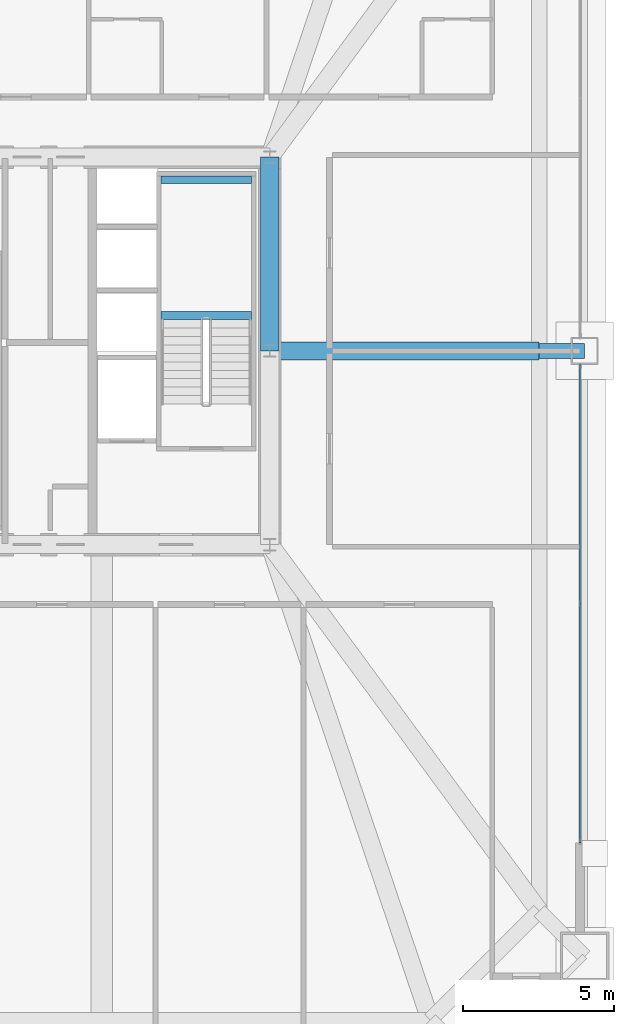
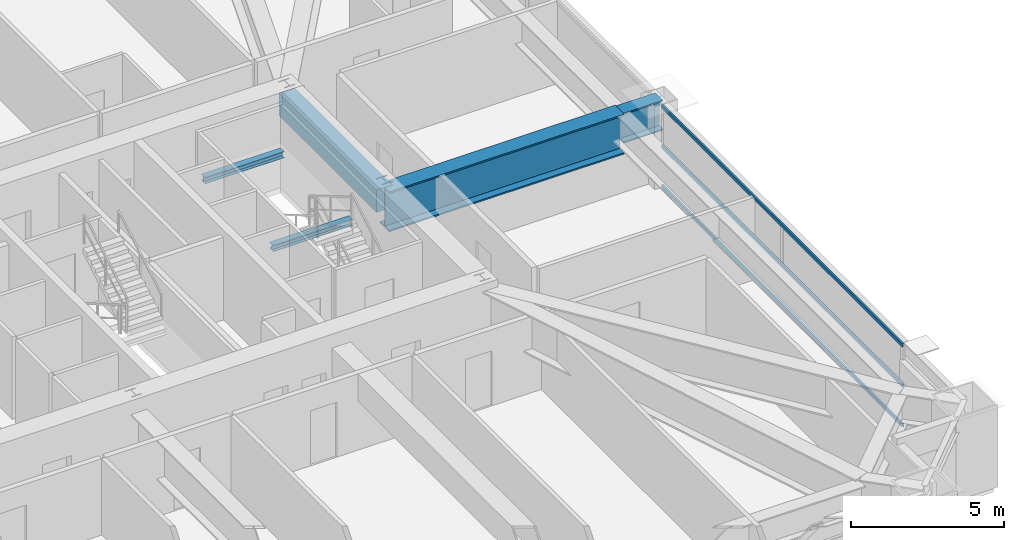
# One storey, part 23 of 45: 5 beams, 3 members, 1 element without a shape of its own.
"""IFC4 building model written with IfcOpenShell, lengths in metres."""

from ifc_helpers import new_model, si_unit, direction, frame, origin, origin_2d, place, context, subcontext, project, spatial, rectangle, hollow_rectangle, i_section, extrude, source, transform, mapped, material, layer, layer_set, material_profile, profile_set, type_object, element, aggregate, save


model = new_model("IFC4")

# Units and contexts
model_context = context("Model", 3, precision=1e-05, world=origin(), true_north=direction((0.0, 1.0)))
body_context = subcontext(model_context, "Body", "Model", "MODEL_VIEW")
ifc_project = project(units=[si_unit("LENGTHUNIT", "METRE"), si_unit("AREAUNIT", "SQUARE_METRE"), si_unit("VOLUMEUNIT", "CUBIC_METRE"), si_unit("PLANEANGLEUNIT", "RADIAN"), si_unit("MASSUNIT", "GRAM", prefix="KILO"), si_unit("THERMODYNAMICTEMPERATUREUNIT", "KELVIN"), si_unit("POWERUNIT", "WATT")], contexts=[model_context])

# Site, building, storey
site_placement = place(None, origin())
site = spatial("IfcSite", under=ifc_project, at=site_placement, CompositionType="ELEMENT")
building_placement = place(site_placement, origin())
building = spatial("IfcBuilding", under=site, at=building_placement, Name="Yuzanri Waterfront Tower", CompositionType="ELEMENT")
storey_placement = place(building_placement, frame((0.0, 0.0, 163.199951171875)))
storey = spatial("IfcBuildingStorey", under=building, at=storey_placement, Name="L43", CompositionType="ELEMENT", Elevation=163.199951171875)

# Beams
ifc_material_1 = material(Name="Concrete C60", Category="concrete")
ifc_material_profile_1 = material_profile(ifc_material_1, rectangle(XDim=0.60009765625, YDim=0.89990234375, at=origin_2d()), Name="RC 600x900")
ifc_profile_set_1 = profile_set([ifc_material_profile_1], Name="Concrete C60")
beam_type_1 = type_object("IfcBeamType", Name="Core Coupling Lintel Concrete C60 600x900", PredefinedType="LINTEL", material=ifc_profile_set_1)
shared_shape_1 = source(origin(), body_context, "Body", "SweptSolid", [
    extrude(rectangle(XDim=0.60009765625, YDim=0.89990234375, at=origin_2d()), origin(), (0.0, 0.0, 1.0), 6.39990234375),
])
beam_1_placement = place(storey_placement, frame((50.199951171875, 25.800048828125, 2.85009765625), z_axis=(0.0, 1.0, 0.0), x_axis=(-1.0, 0.0, 0.0)))
element("IfcBeam", 1, at=beam_1_placement, inside=storey, type_object=beam_type_1, Name="L43 Core Tie Beam CE2", PredefinedType="LINTEL", context=body_context, shape_type="MappedRepresentation", body=[
    mapped(shared_shape_1, transform((0.0, 0.0, 0.0), scale=1.0)),
])
ifc_material_2 = material(Name="Steel Q420GJC", Category="steel")
ifc_material_profile_2 = material_profile(ifc_material_2, i_section(OverallWidth=0.5, OverallDepth=1.199951171875, WebThickness=0.028076171875, FlangeThickness=0.050048828125, at=origin_2d()), Name="PG 1200x500x28x50")
ifc_profile_set_2 = profile_set([ifc_material_profile_2], Name="Steel Q420GJC")
beam_type_2 = type_object("IfcBeamType", Name="Setback Transfer Girder Q420GJC PG 1200x500", PredefinedType="USERDEFINED", material=ifc_profile_set_2)
shared_shape_2 = source(origin(), body_context, "Body", "SweptSolid", [
    extrude(i_section(OverallWidth=0.5, OverallDepth=1.199951171875, WebThickness=0.028076171875, FlangeThickness=0.050048828125, at=origin_2d()), origin(), (0.0, 0.0, 1.0), 1.5),
])
beam_2_placement = place(storey_placement, frame((59.10009765625, 25.800048828125, 2.699951171875), z_axis=(1.0, 0.0, 0.0), x_axis=(0.0, 1.0, 0.0)))
element("IfcBeam", 2, at=beam_2_placement, inside=storey, type_object=beam_type_2, Name="L43 Setback Step Transfer E2", ObjectType="GIRDER", PredefinedType="USERDEFINED", context=body_context, shape_type="MappedRepresentation", body=[
    mapped(shared_shape_2, transform((0.0, 0.0, 0.0), scale=1.0)),
])
ifc_material_3 = material(Name="Steel Q420GJC", Category="steel")
ifc_material_profile_3 = material_profile(ifc_material_3, i_section(OverallWidth=0.60009765625, OverallDepth=1.60009765625, WebThickness=0.031982421875, FlangeThickness=0.06005859375, at=origin_2d()), Name="PG 1600x600x32x60")
ifc_profile_set_3 = profile_set([ifc_material_profile_3], Name="Steel Q420GJC")
beam_type_3 = type_object("IfcBeamType", Name="Ballroom Transfer Girder Q420GJC PG 1600x600", PredefinedType="USERDEFINED", material=ifc_profile_set_3)
shared_shape_3 = source(origin(), body_context, "Body", "SweptSolid", [
    extrude(i_section(OverallWidth=0.60009765625, OverallDepth=1.60009765625, WebThickness=0.031982421875, FlangeThickness=0.06005859375, at=origin_2d()), origin(), (0.0, 0.0, 1.0), 8.900146484375),
])
beam_3_placement = place(storey_placement, frame((50.199951171875, 25.800048828125, 2.5), z_axis=(1.0, 0.0, 0.0), x_axis=(0.0, 1.0, 0.0)))
element("IfcBeam", 3, at=beam_3_placement, inside=storey, type_object=beam_type_3, Name="L43 Setback Inner Transfer E2", ObjectType="GIRDER", PredefinedType="USERDEFINED", context=body_context, shape_type="MappedRepresentation", body=[
    mapped(shared_shape_3, transform((0.0, 0.0, 0.0), scale=1.0)),
])

# Curtain wall, members
ifc_material_4 = material(Name="Anodized Architectural Bronze", Category="metal")
ifc_layer = layer(ifc_material_4, 0.159912109375)
ifc_layer_set = layer_set([ifc_layer], Name="Anodized Architectural Bronze")
curtain_wall_type = type_object("IfcCurtainWallType", Name="Anodized Bronze Hotel Upper-Tier Solar-Control Unitized Curtain Wall 7800", PredefinedType="NOTDEFINED", material=ifc_layer_set)
curtain_wall_placement = place(storey_placement, origin())
curtain_wall = element("IfcCurtainWall", 4, at=curtain_wall_placement, inside=storey, type_object=curtain_wall_type, Name="L43 Curtain Wall CW-L43-EL", PredefinedType="NOTDEFINED")
ifc_material_5 = material(Name="Anodized Architectural Bronze", Category="metal")
ifc_material_profile_4 = material_profile(ifc_material_5, hollow_rectangle(XDim=0.070068359375, YDim=0.135009765625, WallThickness=0.00341796875, at=origin_2d()), Name="CWT 70x135")
ifc_profile_set_4 = profile_set([ifc_material_profile_4], Name="Anodized Architectural Bronze")
member_type = type_object("IfcMemberType", Name="Anodized Bronze Standard Curtain-Wall Transom 70x135", PredefinedType="USERDEFINED", material=ifc_profile_set_4)
shared_shape_4 = source(origin(), body_context, "Body", "SweptSolid", [
    extrude(hollow_rectangle(XDim=0.070068359375, YDim=0.135009765625, WallThickness=0.00341796875, at=origin_2d()), origin(), (0.0, 0.0, 1.0), 15.800048828125),
])
member_1_placement = place(storey_placement, frame((60.449951171875, 9.550048828125, 0.050048828125), z_axis=(0.0, 1.0, 0.0), x_axis=(-1.0, 0.0, 0.0)))
member_1 = element("IfcMember", 5, at=member_1_placement, type_object=member_type, Name="CW-L43-EL Transom 1", ObjectType="TRANSOM", PredefinedType="USERDEFINED", context=body_context, shape_type="MappedRepresentation", body=[
    mapped(shared_shape_4, transform((0.0, 0.0, 0.0), scale=1.0)),
])
member_2_placement = place(storey_placement, frame((60.449951171875, 9.550048828125, 1.650146484375), z_axis=(0.0, 1.0, 0.0), x_axis=(-1.0, 0.0, 0.0)))
member_2 = element("IfcMember", 6, at=member_2_placement, type_object=member_type, Name="CW-L43-EL Transom 2", ObjectType="TRANSOM", PredefinedType="USERDEFINED", context=body_context, shape_type="MappedRepresentation", body=[
    mapped(shared_shape_4, transform((0.0, 0.0, 0.0), scale=1.0)),
])
member_3_placement = place(storey_placement, frame((60.449951171875, 9.550048828125, 3.25), z_axis=(0.0, 1.0, 0.0), x_axis=(-1.0, 0.0, 0.0)))
member_3 = element("IfcMember", 7, at=member_3_placement, type_object=member_type, Name="CW-L43-EL Transom 3", ObjectType="TRANSOM", PredefinedType="USERDEFINED", context=body_context, shape_type="MappedRepresentation", body=[
    mapped(shared_shape_4, transform((0.0, 0.0, 0.0), scale=1.0)),
])
aggregate(curtain_wall, [member_1, member_2, member_3])

# Beams
ifc_material_6 = material(Name="Steel Q355B", Category="steel")
ifc_material_profile_5 = material_profile(ifc_material_6, i_section(OverallWidth=0.25, OverallDepth=0.25, WebThickness=0.009033203125, FlangeThickness=0.013916015625, at=origin_2d()), Name="HW 250x250x9x14")
ifc_profile_set_5 = profile_set([ifc_material_profile_5], Name="Steel Q355B")
beam_type_4 = type_object("IfcBeamType", Name="Stair Landing Support Beam Q355B HW 250x250", PredefinedType="BEAM", material=ifc_profile_set_5)
shared_shape_5 = source(origin(), body_context, "Body", "SweptSolid", [
    extrude(i_section(OverallWidth=0.25, OverallDepth=0.25, WebThickness=0.009033203125, FlangeThickness=0.013916015625, at=origin_2d()), origin(), (0.0, 0.0, 1.0), 3.0),
])
for number, where, z_axis, x_axis, name in (
    (8, (46.60009765625, 26.969970703125, 1.47509765625), (1.0, 0.0, 0.0), (0.0, 1.0, 0.0), "L43 Stair Landing Support Beam ST-02-L43-L1-1"),
    (9, (46.60009765625, 31.449951171875, 1.47509765625), (1.0, 0.0, 0.0), (0.0, 1.0, 0.0), "L43 Stair Landing Support Beam ST-02-L43-L1-2"),
):
    element("IfcBeam", number, at=place(storey_placement, frame(where, z_axis=z_axis, x_axis=x_axis)), inside=storey, type_object=beam_type_4, Name=name, PredefinedType="BEAM", context=body_context, shape_type="MappedRepresentation", body=[
        mapped(shared_shape_5, transform((0.0, 0.0, 0.0), scale=1.0)),
    ])

save(model, "model.ifc")
